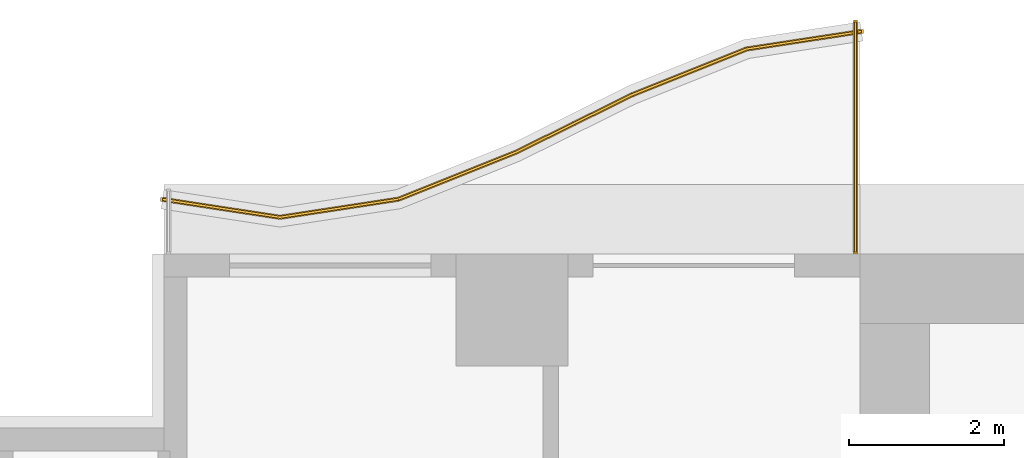
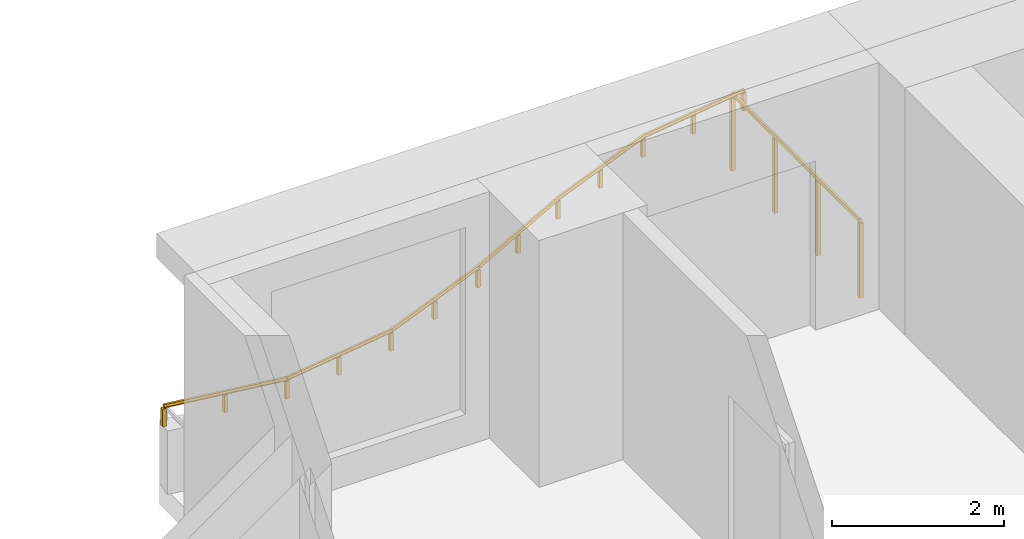
# One storey, part 13 of 14: 2 railings.
"""IFC4 building model written with IfcOpenShell, lengths in metres."""

from ifc_helpers import new_model, si_unit, direction, frame, origin, origin_2d, place, context, subcontext, project, spatial, polyline, rectangle, outline, extrude, material, type_object, element, save


model = new_model("IFC4")

# Units and contexts
model_context = context("Model", 3, precision=1e-05, world=origin(), true_north=direction((0.0, 1.0)))
body_context = subcontext(model_context, "Body", "Model", "MODEL_VIEW")
ifc_project = project(units=[si_unit("LENGTHUNIT", "METRE"), si_unit("AREAUNIT", "SQUARE_METRE"), si_unit("VOLUMEUNIT", "CUBIC_METRE"), si_unit("PLANEANGLEUNIT", "RADIAN"), si_unit("MASSUNIT", "GRAM", prefix="KILO")], contexts=[model_context])

# Site, building, storey
site_placement = place(None, origin())
site = spatial("IfcSite", under=ifc_project, at=site_placement, CompositionType="ELEMENT")
building_placement = place(site_placement, origin())
building = spatial("IfcBuilding", under=site, at=building_placement, Name="Orbiselva Terraces", CompositionType="ELEMENT")
storey_placement = place(building_placement, frame((0.0, 0.0, 22.6)))
storey = spatial("IfcBuildingStorey", under=building, at=storey_placement, Name="L05", CompositionType="ELEMENT", Elevation=22.6)

# Railings
ifc_material_1 = material(Name="Bonded two-ply safety glass balustrade, stainless steel posts", Category="steel")
railing_type_1 = type_object("IfcRailingType", Name="ENV-BALUSTRADE-1200", PredefinedType="BALUSTRADE", material=ifc_material_1)
railing_1_placement = place(storey_placement, frame((-13.481121, 25.376434, 0.9)))
element("IfcRailing", 1, at=railing_1_placement, inside=storey, type_object=railing_type_1, Name="Balcony balustrade L05 NW", PredefinedType="BALUSTRADE", context=body_context, shape_type="SweptSolid", body=[
    extrude(outline(polyline([(0.028868, 0.0), (0.014434, 0.025), (-0.014434, 0.025), (-0.028868, 0.0), (-0.014434, -0.025), (0.014434, -0.025), (0.028868, 0.0)])), frame((0.0, 0.0, 0.275), z_axis=(-0.988528552748, -0.151034103443, 0.0), x_axis=(0.151034103443, -0.988528552748, 0.0)), (0.0, 0.0, 1.0), 1.503038),
    extrude(outline(polyline([(0.028868, 0.0), (0.014434, 0.025), (-0.014434, 0.025), (-0.028868, 0.0), (-0.014434, -0.025), (0.014434, -0.025), (0.028868, 0.0)])), frame((-1.485796, -0.22701, 0.275), z_axis=(-0.928476561272, -0.371391000387, 0.0), x_axis=(0.371391000387, -0.928476561272, 0.0)), (0.0, 0.0, 1.0), 1.596261),
    extrude(outline(polyline([(0.028868, 0.0), (0.014434, 0.025), (-0.014434, 0.025), (-0.028868, 0.0), (-0.014434, -0.025), (0.014434, -0.025), (0.028868, 0.0)])), frame((-2.967887, -0.819847, 0.275), z_axis=(-0.896416672454, -0.443212307306, 0.0), x_axis=(0.443212307306, -0.896416672454, 0.0)), (0.0, 0.0, 1.0), 1.673329),
    extrude(outline(polyline([(0.028868, 0.0), (0.014434, 0.025), (-0.014434, 0.025), (-0.028868, 0.0), (-0.014434, -0.025), (0.014434, -0.025), (0.028868, 0.0)])), frame((-4.467887, -1.561487, 0.275), z_axis=(-0.92847681744, -0.371390359967, 0.0), x_axis=(0.371390359967, -0.92847681744, 0.0)), (0.0, 0.0, 1.0), 1.634838),
    extrude(outline(polyline([(0.028868, 0.0), (0.014434, 0.025), (-0.014434, 0.025), (-0.028868, 0.0), (-0.014434, -0.025), (0.014434, -0.025), (0.028868, 0.0)])), frame((-5.985796, -2.16865, 0.275), z_axis=(-0.988528536275, -0.151034211256, 0.0), x_axis=(0.151034211256, -0.988528536275, 0.0)), (0.0, 0.0, 1.0), 1.550874),
    extrude(outline(polyline([(0.028868, 0.0), (0.014434, 0.025), (-0.014434, 0.025), (-0.028868, 0.0), (-0.014434, -0.025), (0.014434, -0.025), (0.028868, 0.0)])), frame((-7.518879, -2.402885, 0.275), z_axis=(-0.988528518286, 0.151034328999, 0.0), x_axis=(-0.151034328999, -0.988528518286, 0.0)), (0.0, 0.0, 1.0), 1.536505),
    extrude(rectangle(XDim=0.05, YDim=0.05, at=origin_2d()), origin(), (0.0, 0.0, 1.0), 0.25),
    extrude(rectangle(XDim=0.05, YDim=0.05, at=origin_2d()), frame((-0.742898, -0.113505, 0.0)), (0.0, 0.0, 1.0), 0.25),
    extrude(rectangle(XDim=0.05, YDim=0.05, at=origin_2d()), frame((-1.485796, -0.22701, 0.0)), (0.0, 0.0, 1.0), 0.25),
    extrude(rectangle(XDim=0.05, YDim=0.05, at=origin_2d()), frame((-2.226842, -0.523428, 0.0)), (0.0, 0.0, 1.0), 0.25),
    extrude(rectangle(XDim=0.05, YDim=0.05, at=origin_2d()), frame((-2.967887, -0.819847, 0.0)), (0.0, 0.0, 1.0), 0.25),
    extrude(rectangle(XDim=0.05, YDim=0.05, at=origin_2d()), frame((-3.717887, -1.190667, 0.0)), (0.0, 0.0, 1.0), 0.25),
    extrude(rectangle(XDim=0.05, YDim=0.05, at=origin_2d()), frame((-4.467887, -1.561487, 0.0)), (0.0, 0.0, 1.0), 0.25),
    extrude(rectangle(XDim=0.05, YDim=0.05, at=origin_2d()), frame((-5.226841, -1.865068, 0.0)), (0.0, 0.0, 1.0), 0.25),
    extrude(rectangle(XDim=0.05, YDim=0.05, at=origin_2d()), frame((-5.985796, -2.16865, 0.0)), (0.0, 0.0, 1.0), 0.25),
    extrude(rectangle(XDim=0.05, YDim=0.05, at=origin_2d()), frame((-6.752337, -2.285768, 0.0)), (0.0, 0.0, 1.0), 0.25),
    extrude(rectangle(XDim=0.05, YDim=0.05, at=origin_2d()), frame((-7.518879, -2.402885, 0.0)), (0.0, 0.0, 1.0), 0.25),
    extrude(rectangle(XDim=0.05, YDim=0.05, at=origin_2d()), frame((-8.278318, -2.286852, 0.0)), (0.0, 0.0, 1.0), 0.25),
    extrude(rectangle(XDim=0.05, YDim=0.05, at=origin_2d()), frame((-9.037758, -2.17082, 0.0)), (0.0, 0.0, 1.0), 0.25),
])
ifc_material_2 = material(Name="Stainless steel rail and posts", Category="steel")
railing_type_2 = type_object("IfcRailingType", Name="ENV-GUARD-1105", PredefinedType="BALUSTRADE", material=ifc_material_2)
railing_2_placement = place(storey_placement, frame((-13.56, 25.499621, 0.0)))
element("IfcRailing", 2, at=railing_2_placement, inside=storey, type_object=railing_type_2, Name="Balcony end guard L05 NW", PredefinedType="BALUSTRADE", context=body_context, shape_type="SweptSolid", body=[
    extrude(outline(polyline([(0.028868, 0.0), (0.014434, 0.025), (-0.014434, 0.025), (-0.028868, 0.0), (-0.014434, -0.025), (0.014434, -0.025), (0.028868, 0.0)])), frame((0.0, 0.0, 1.08), z_axis=(0.0, -1.0, 0.0), x_axis=(1.0, 0.0, 0.0)), (0.0, 0.0, 1.0), 2.974621),
    extrude(rectangle(XDim=0.05, YDim=0.05, at=origin_2d()), origin(), (0.0, 0.0, 1.0), 1.055),
    extrude(rectangle(XDim=0.05, YDim=0.05, at=origin_2d()), frame((0.0, -0.99154, 0.0)), (0.0, 0.0, 1.0), 1.055),
    extrude(rectangle(XDim=0.05, YDim=0.05, at=origin_2d()), frame((0.0, -1.983081, 0.0)), (0.0, 0.0, 1.0), 1.055),
    extrude(rectangle(XDim=0.05, YDim=0.05, at=origin_2d()), frame((0.0, -2.974621, 0.0)), (0.0, 0.0, 1.0), 1.055),
])

save(model, "model.ifc")
